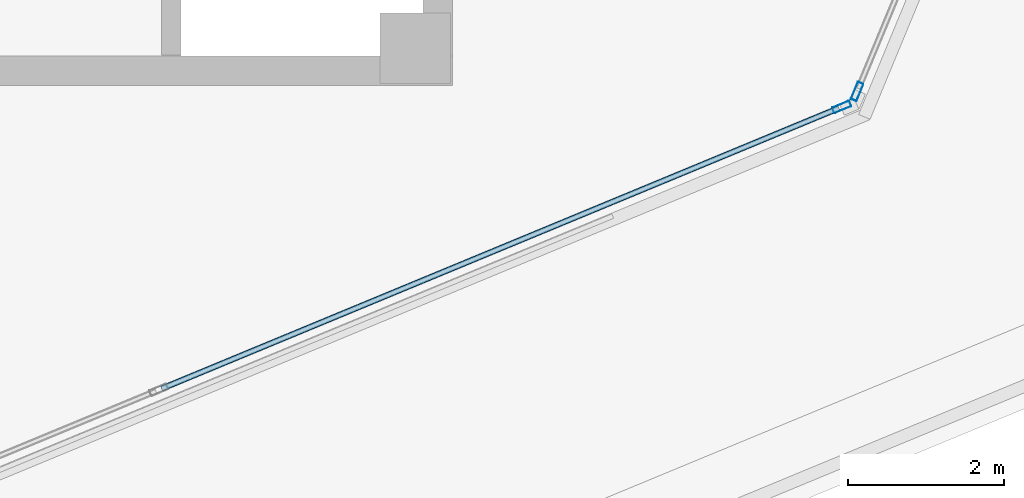
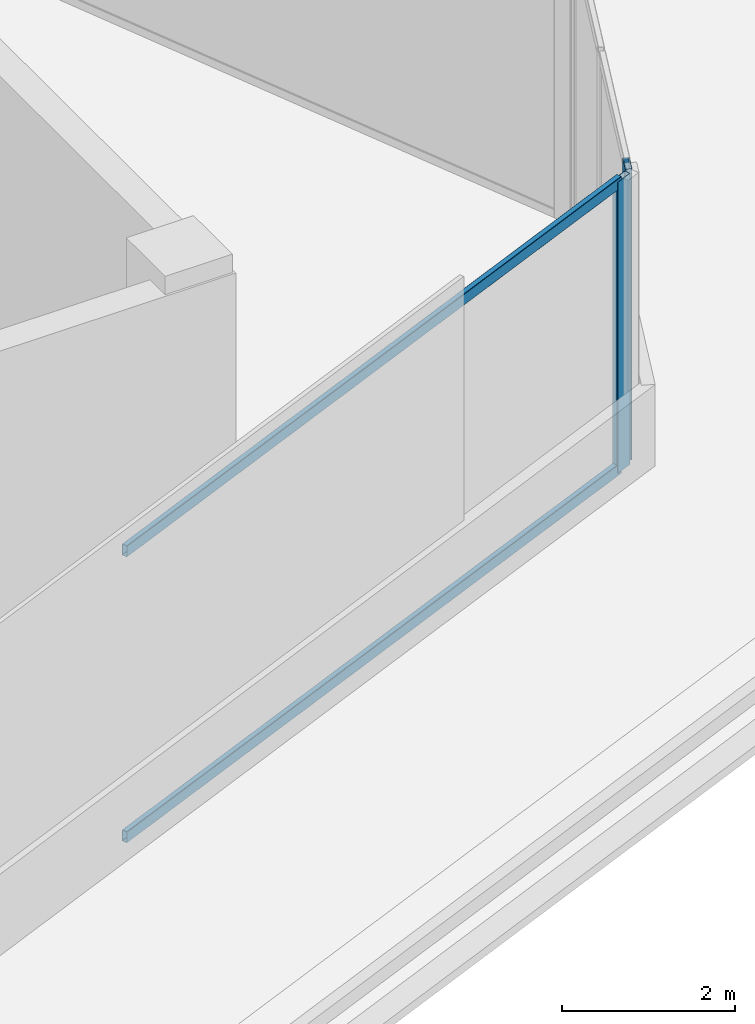
# One storey, part 3 of 11: 4 members, 2 elements without a shape of their own.
"""IFC4 building model written with IfcOpenShell, lengths in metres."""

from ifc_helpers import new_model, si_unit, direction, frame, origin, origin_2d, place, context, subcontext, project, spatial, hollow_rectangle, extrude, source, transform, mapped, material, material_profile, profile_set, type_object, element, aggregate, save


model = new_model("IFC4")

# Units and contexts
model_context = context("Model", 3, precision=1e-05, world=origin(), true_north=direction((0.0, 1.0)))
body_context = subcontext(model_context, "Body", "Model", "MODEL_VIEW")
ifc_project = project(units=[si_unit("LENGTHUNIT", "METRE"), si_unit("AREAUNIT", "SQUARE_METRE"), si_unit("VOLUMEUNIT", "CUBIC_METRE"), si_unit("PLANEANGLEUNIT", "RADIAN"), si_unit("MASSUNIT", "GRAM", prefix="KILO")], contexts=[model_context])

# Site, building, storey
site_placement = place(None, origin())
site = spatial("IfcSite", under=ifc_project, at=site_placement, CompositionType="ELEMENT")
building_placement = place(site_placement, origin())
building = spatial("IfcBuilding", under=site, at=building_placement, Name="Torre Montelarca", CompositionType="ELEMENT")
storey_placement = place(building_placement, frame((0.0, 0.0, 366.0)))
storey = spatial("IfcBuildingStorey", under=building, at=storey_placement, Name="L82", CompositionType="ELEMENT", Elevation=366.0)

# Curtain wall, member
ifc_material_1 = material(Name="Amber translucent laminated glass", Category="glass")
curtain_wall_type = type_object("IfcCurtainWallType", Name="CW-SYS-LANT", PredefinedType="USERDEFINED", material=ifc_material_1)
curtain_wall_1_placement = place(storey_placement, origin())
curtain_wall_1 = element("IfcCurtainWall", 1, at=curtain_wall_1_placement, inside=storey, type_object=curtain_wall_type, Name="L82 Curtain Wall Run CW-T3-L82-E03-B1", ObjectType="TRANSLUCENT LANTERN", PredefinedType="USERDEFINED")
ifc_material_2 = material(Name="Anodised aluminium AA 6063-T6", Category="aluminium")
ifc_material_profile_1 = material_profile(ifc_material_2, hollow_rectangle(XDim=0.080078125, YDim=0.239990234375, WallThickness=0.0048828125, InnerFilletRadius=0.0048828125, OuterFilletRadius=0.010009765625, at=origin_2d()), Name="ALU80X240X5", Category="aluminium")
ifc_profile_set_1 = profile_set([ifc_material_profile_1], Name="Anodised aluminium AA 6063-T6")
member_type_1 = type_object("IfcMemberType", Name="CWM-ALU240", PredefinedType="MULLION", material=ifc_profile_set_1)
shared_shape_1 = source(origin(), body_context, "Body", "SweptSolid", [
    extrude(hollow_rectangle(XDim=0.080078125, YDim=0.239990234375, WallThickness=0.0048828125, InnerFilletRadius=0.0048828125, OuterFilletRadius=0.010009765625, at=origin_2d()), origin(), (0.0, 0.0, 1.0), 4.1201171875),
])
member_1_placement = place(storey_placement, frame((31.927490234375, 23.7958984375, 0.0), z_axis=(0.0, 0.0, 1.0), x_axis=(-0.382682649654, 0.92387985672, 0.0)))
member_1 = element("IfcMember", 2, at=member_1_placement, type_object=member_type_1, Name="CW mullion 3", PredefinedType="MULLION", context=body_context, shape_type="MappedRepresentation", body=[
    mapped(shared_shape_1, transform((0.0, 0.0, 0.0), scale=1.0)),
])

curtain_wall_2_placement = place(storey_placement, origin())
curtain_wall_2 = element("IfcCurtainWall", 3, at=curtain_wall_2_placement, inside=storey, type_object=curtain_wall_type, Name="L82 Curtain Wall Run CW-T3-L82-E04-B1", ObjectType="TRANSLUCENT LANTERN", PredefinedType="USERDEFINED")
member_2_placement = place(storey_placement, frame((32.126220703125, 23.99462890625, 0.0), z_axis=(0.0, 0.0, 1.0), x_axis=(-0.923882760527, 0.382675639152, 0.0)))
member_2 = element("IfcMember", 4, at=member_2_placement, type_object=member_type_1, Name="CW mullion 1", PredefinedType="MULLION", context=body_context, shape_type="MappedRepresentation", body=[
    mapped(shared_shape_1, transform((0.0, 0.0, 0.0), scale=1.0)),
])
aggregate(curtain_wall_2, [member_2])

# Member
ifc_material_profile_2 = material_profile(ifc_material_2, hollow_rectangle(XDim=0.074951171875, YDim=0.159912109375, WallThickness=0.0048828125, InnerFilletRadius=0.0048828125, OuterFilletRadius=0.010009765625, at=origin_2d()), Name="ALU75X160X5", Category="aluminium")
ifc_profile_set_2 = profile_set([ifc_material_profile_2], Name="Anodised aluminium AA 6063-T6")
member_type_2 = type_object("IfcMemberType", Name="CWT-ALU160", PredefinedType="USERDEFINED", material=ifc_profile_set_2)
shared_shape_2 = source(origin(), body_context, "Body", "SweptSolid", [
    extrude(hollow_rectangle(XDim=0.074951171875, YDim=0.159912109375, WallThickness=0.0048828125, InnerFilletRadius=0.0048828125, OuterFilletRadius=0.010009765625, at=origin_2d()), origin(), (0.0, 0.0, 1.0), 9.4140625),
])
member_3_placement = place(storey_placement, frame((23.19287109375, 20.177978515625, 0.03759765625), z_axis=(0.923882816405, 0.382675504249, 0.0), x_axis=(-0.382675504249, 0.923882816405, 0.0)))
member_3 = element("IfcMember", 5, at=member_3_placement, type_object=member_type_2, Name="CW transom 2.1", ObjectType="TRANSOM", PredefinedType="USERDEFINED", context=body_context, shape_type="MappedRepresentation", body=[
    mapped(shared_shape_2, transform((0.0, 0.0, 0.0), scale=1.0)),
])

member_4_placement = place(storey_placement, frame((23.19287109375, 20.177978515625, 4.08251953125), z_axis=(0.923882816405, 0.382675504249, 0.0), x_axis=(-0.382675504249, 0.923882816405, 0.0)))
member_4 = element("IfcMember", 6, at=member_4_placement, type_object=member_type_2, Name="CW transom 2.2", ObjectType="TRANSOM", PredefinedType="USERDEFINED", context=body_context, shape_type="MappedRepresentation", body=[
    mapped(shared_shape_2, transform((0.0, 0.0, 0.0), scale=1.0)),
])

aggregate(curtain_wall_1, [member_1, member_3, member_4])

save(model, "model.ifc")
